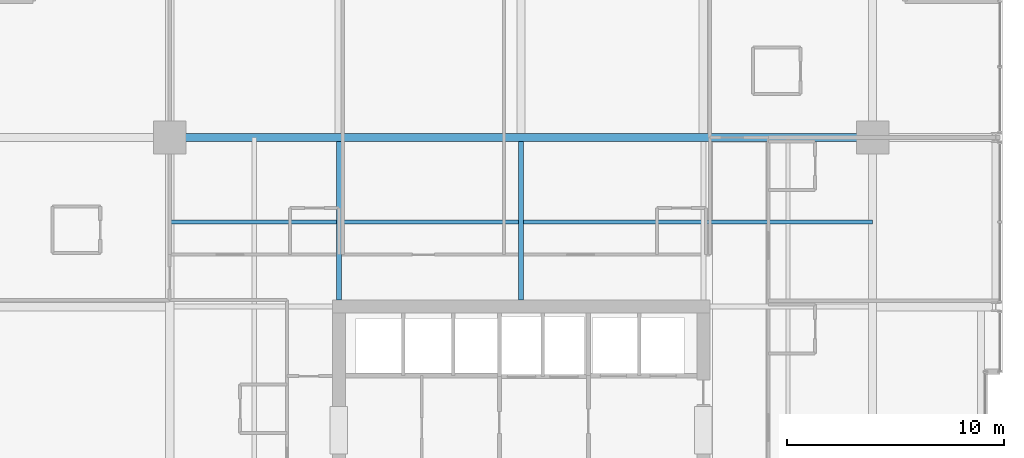
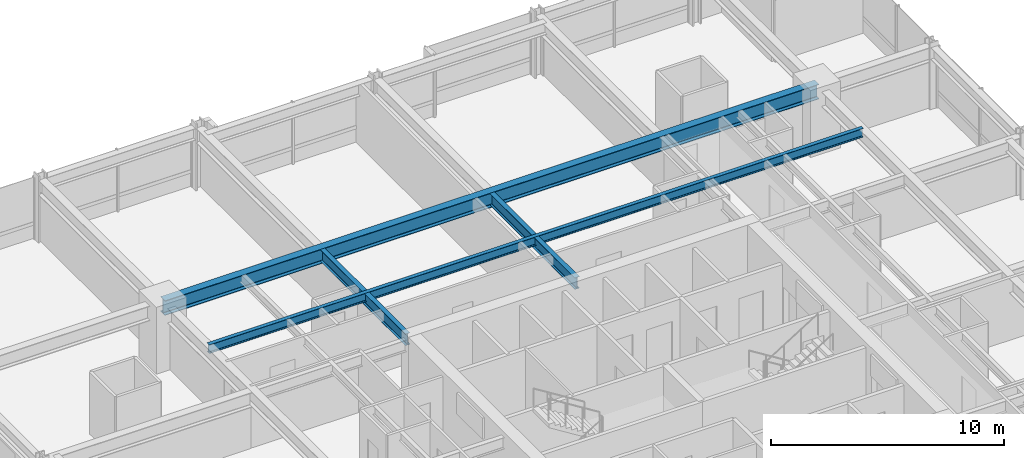
# One storey, part 19 of 33: 4 beams.
"""IFC4 building model written with IfcOpenShell, lengths in metres."""

from ifc_helpers import new_model, si_unit, direction, frame, origin, origin_2d, place, context, subcontext, project, spatial, i_section, extrude, material, material_profile, profile_set, type_object, element, save


model = new_model("IFC4")

# Units and contexts
model_context = context("Model", 3, precision=1e-05, world=origin(), true_north=direction((0.0, 1.0)))
body_context = subcontext(model_context, "Body", "Model", "MODEL_VIEW")
ifc_project = project(units=[si_unit("LENGTHUNIT", "METRE"), si_unit("AREAUNIT", "SQUARE_METRE"), si_unit("VOLUMEUNIT", "CUBIC_METRE"), si_unit("PLANEANGLEUNIT", "RADIAN"), si_unit("MASSUNIT", "GRAM", prefix="KILO")], contexts=[model_context])

# Site, building, storey
site_placement = place(None, origin())
site = spatial("IfcSite", under=ifc_project, at=site_placement, CompositionType="ELEMENT")
building_placement = place(site_placement, origin())
building = spatial("IfcBuilding", under=site, at=building_placement, Name="Drelvath Grand Hotel", CompositionType="ELEMENT")
storey_placement = place(building_placement, frame((0.0, 0.0, 105.800048828125)))
storey = spatial("IfcBuildingStorey", under=building, at=storey_placement, Name="L26", CompositionType="ELEMENT", Elevation=105.800048828125)

# Beams
ifc_material = material(Name="Steel ASTM A992 Gr 50", Category="steel")
ifc_material_profile_1 = material_profile(ifc_material, i_section(OverallWidth=0.19140625, OverallDepth=0.4599609375, WebThickness=0.010009765625, FlangeThickness=0.01611328125, FilletRadius=0.01611328125, at=origin_2d()), Name="W18X55")
ifc_profile_set_1 = profile_set([ifc_material_profile_1], Name="Steel ASTM A992 Gr 50")
beam_type_1 = type_object("IfcBeamType", Name="Composite Floor Joist W18X55", PredefinedType="JOIST", material=ifc_profile_set_1)
beam_1_placement = place(storey_placement, frame((-16.199951171875, 39.300048828125, 3.010009765625), z_axis=(1.0, 0.0, 0.0), x_axis=(0.0, 1.0, 0.0)))
element("IfcBeam", 1, at=beam_1_placement, inside=storey, type_object=beam_type_1, Name="L26 Floor Joist J2", PredefinedType="JOIST", context=body_context, shape_type="SweptSolid", body=[
    extrude(i_section(OverallWidth=0.19140625, OverallDepth=0.4599609375, WebThickness=0.010009765625, FlangeThickness=0.01611328125, FilletRadius=0.01611328125, at=origin_2d()), origin(), (0.0, 0.0, 1.0), 32.39990234375),
])
ifc_material_profile_2 = material_profile(ifc_material, i_section(OverallWidth=0.228271484375, OverallDepth=0.607666015625, WebThickness=0.01123046875, FlangeThickness=0.017333984375, FilletRadius=0.02001953125, at=origin_2d()), Name="W24X76")
ifc_profile_set_2 = profile_set([ifc_material_profile_2], Name="Steel ASTM A992 Gr 50")
beam_type_2 = type_object("IfcBeamType", Name="Primary Floor Girder W24X76", PredefinedType="BEAM", material=ifc_profile_set_2)
for number, where, z_axis, x_axis, name in (
    (2, (-8.39990234375, 35.699951171875, 2.93603515625), (0.0, 1.0, 0.0), (-1.0, 0.0, 0.0), "L26 North Core Tie 4"),
    (3, (0.0, 35.699951171875, 2.93603515625), (0.0, 1.0, 0.0), (-1.0, 0.0, 0.0), "L26 North Core Tie 5"),
):
    element("IfcBeam", number, at=place(storey_placement, frame(where, z_axis=z_axis, x_axis=x_axis)), inside=storey, type_object=beam_type_2, Name=name, PredefinedType="BEAM", context=body_context, shape_type="SweptSolid", body=[
        extrude(i_section(OverallWidth=0.228271484375, OverallDepth=0.607666015625, WebThickness=0.01123046875, FlangeThickness=0.017333984375, FilletRadius=0.02001953125, at=origin_2d()), origin(), (0.0, 0.0, 1.0), 7.309814453125),
    ])
ifc_material_profile_3 = material_profile(ifc_material, i_section(OverallWidth=0.380615234375, OverallDepth=0.773193359375, WebThickness=0.0166015625, FlangeThickness=0.027099609375, FilletRadius=0.02490234375, at=origin_2d()), Name="W30X173")
ifc_profile_set_3 = profile_set([ifc_material_profile_3], Name="Steel ASTM A992 Gr 50")
beam_type_3 = type_object("IfcBeamType", Name="Primary Floor Girder W30X173", PredefinedType="BEAM", material=ifc_profile_set_3)
beam_2_placement = place(storey_placement, frame((-16.199951171875, 43.199951171875, 2.853271484375), z_axis=(1.0, 0.0, 0.0), x_axis=(0.0, 1.0, 0.0)))
element("IfcBeam", 4, at=beam_2_placement, inside=storey, type_object=beam_type_3, Name="L26 Mega Ring Girder North", PredefinedType="BEAM", context=body_context, shape_type="SweptSolid", body=[
    extrude(i_section(OverallWidth=0.380615234375, OverallDepth=0.773193359375, WebThickness=0.0166015625, FlangeThickness=0.027099609375, FilletRadius=0.02490234375, at=origin_2d()), origin(), (0.0, 0.0, 1.0), 32.39990234375),
])

save(model, "model.ifc")
